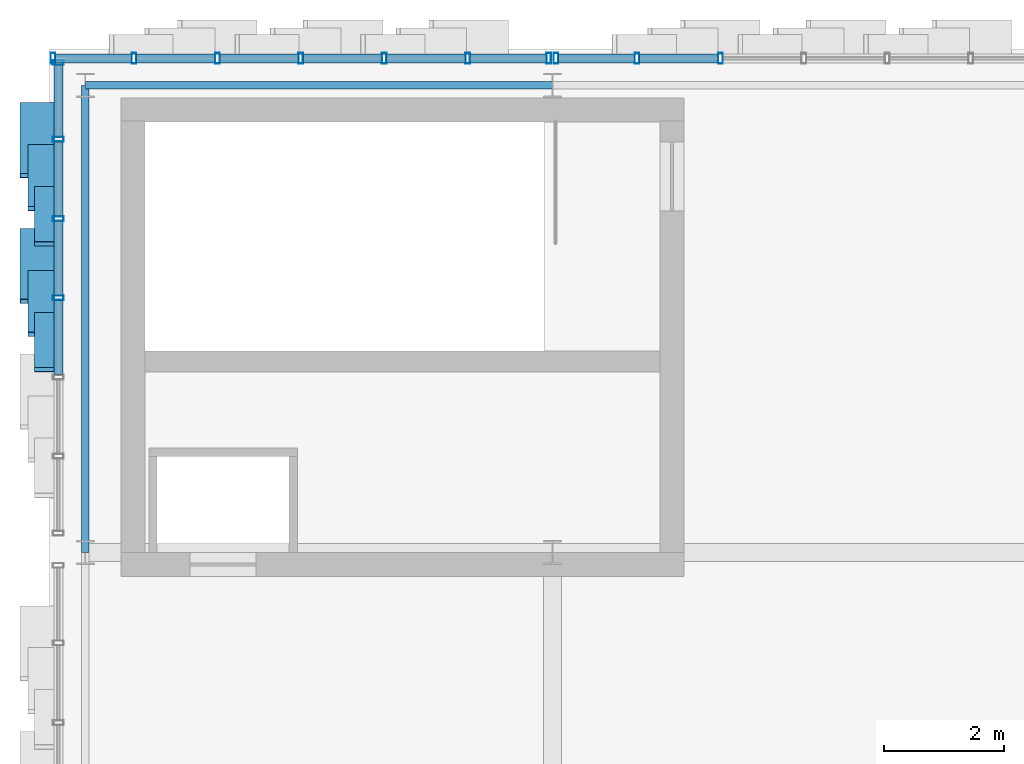
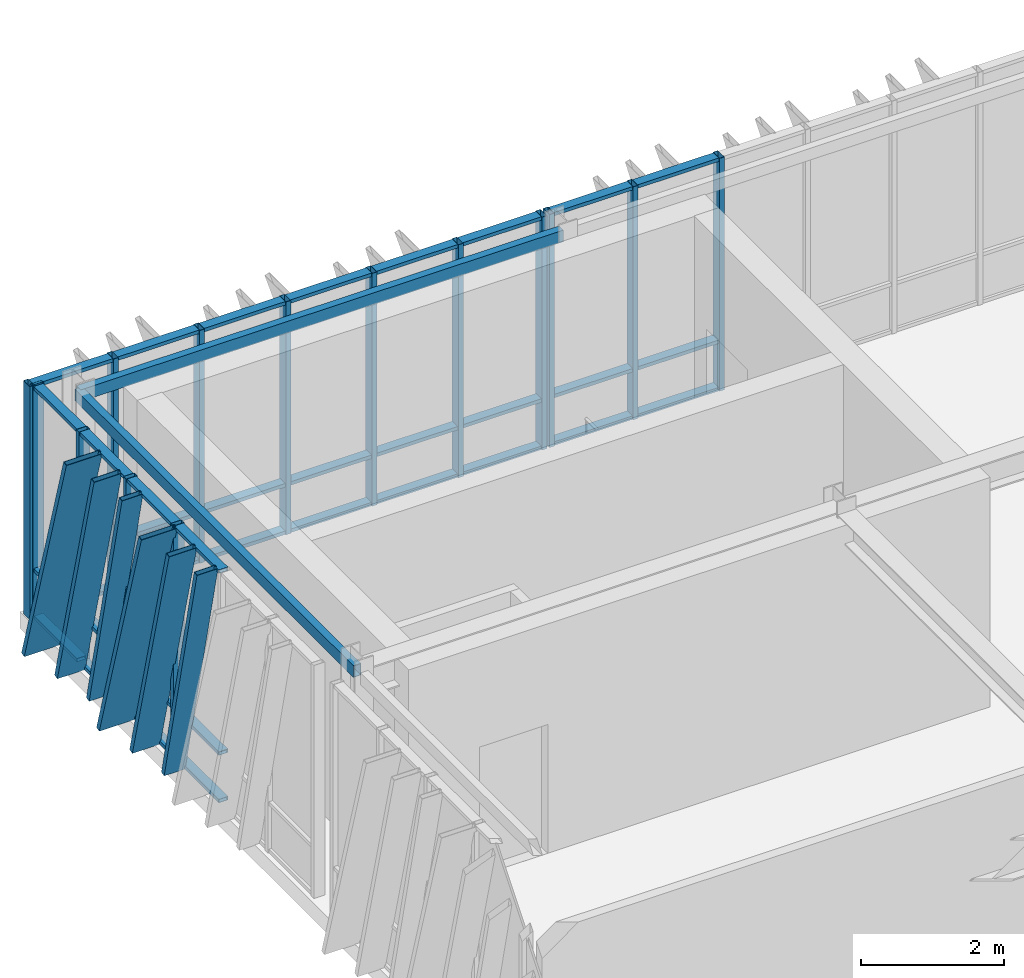
# One storey, part 42 of 123: 56 members, 2 beams, 3 elements without a shape of their own.
"""IFC4 building model written with IfcOpenShell, lengths in metres."""

from ifc_helpers import new_model, si_unit, direction, frame, origin, origin_2d, place, context, subcontext, project, spatial, hollow_rectangle, extrude, material, layer, layer_set, material_profile, profile_set, type_object, element, aggregate, save


model = new_model("IFC4")

# Units and contexts
model_context = context("Model", 3, precision=1e-05, world=origin(), true_north=direction((0.0, 1.0)))
body_context = subcontext(model_context, "Body", "Model", "MODEL_VIEW")
ifc_project = project(units=[si_unit("LENGTHUNIT", "METRE"), si_unit("AREAUNIT", "SQUARE_METRE"), si_unit("VOLUMEUNIT", "CUBIC_METRE"), si_unit("PLANEANGLEUNIT", "RADIAN"), si_unit("MASSUNIT", "GRAM", prefix="KILO")], contexts=[model_context])

# Site, building, storey
site_placement = place(None, origin())
site = spatial("IfcSite", under=ifc_project, at=site_placement, CompositionType="ELEMENT")
building_placement = place(site_placement, origin())
building = spatial("IfcBuilding", under=site, at=building_placement, Name="Zayran Congress Hotel", CompositionType="ELEMENT")
storey_placement = place(building_placement, frame((0.0, 0.0, 15.0)))
storey = spatial("IfcBuildingStorey", under=building, at=storey_placement, Name="L03", CompositionType="ELEMENT", Elevation=15.0)

# Beams
ifc_material_1 = material(Name="Steel S355", Category="steel")
ifc_material_profile_1 = material_profile(ifc_material_1, hollow_rectangle(XDim=0.1201171875, YDim=0.199951171875, WallThickness=0.008056640625, at=origin_2d()), Name="RHS 200x120x8")
ifc_profile_set_1 = profile_set([ifc_material_profile_1], Name="Steel S355")
beam_type = type_object("IfcBeamType", Name="TP-SP-02", PredefinedType="SPANDREL", material=ifc_profile_set_1)
beam_1_placement = place(storey_placement, frame((9.0, 117.39990234375, 3.8798828125), z_axis=(1.0, 0.0, 0.0), x_axis=(0.0, 1.0, 0.0)))
element("IfcBeam", 1, at=beam_1_placement, inside=storey, type_object=beam_type, Name="BM-V1-L03-0839", PredefinedType="SPANDREL", context=body_context, shape_type="SweptSolid", body=[
    extrude(hollow_rectangle(XDim=0.1201171875, YDim=0.199951171875, WallThickness=0.008056640625, at=origin_2d()), origin(), (0.0, 0.0, 1.0), 7.800048828125),
])
beam_2_placement = place(storey_placement, frame((9.0, 109.60009765625, 3.8798828125), z_axis=(0.0, 1.0, 0.0), x_axis=(-1.0, 0.0, 0.0)))
element("IfcBeam", 2, at=beam_2_placement, inside=storey, type_object=beam_type, Name="BM-V1-L03-0854", PredefinedType="SPANDREL", context=body_context, shape_type="SweptSolid", body=[
    extrude(hollow_rectangle(XDim=0.1201171875, YDim=0.199951171875, WallThickness=0.008056640625, at=origin_2d()), origin(), (0.0, 0.0, 1.0), 7.7998046875),
])

# Curtain wall, members
ifc_material_2 = material(Name="Anodised aluminium and low-E insulated glass", Category="aluminium")
ifc_layer_1 = layer(ifc_material_2, 0.179931640625)
ifc_layer_set_1 = layer_set([ifc_layer_1], Name="Anodised aluminium and low-E insulated glass")
curtain_wall_type_1 = type_object("IfcCurtainWallType", Name="CW-V1N-L03-CW-21-8360-3980", PredefinedType="USERDEFINED", material=ifc_layer_set_1)
curtain_wall_1_placement = place(storey_placement, origin())
curtain_wall_1 = element("IfcCurtainWall", 3, at=curtain_wall_1_placement, inside=storey, type_object=curtain_wall_type_1, Name="CW-V1N-L03-0", ObjectType="CURTAIN WALL", PredefinedType="USERDEFINED")
ifc_material_3 = material(Name="Anodised aluminium framing", Category="aluminium")
ifc_material_profile_2 = material_profile(ifc_material_3, hollow_rectangle(XDim=0.080078125, YDim=0.179931640625, WallThickness=0.0048828125, at=origin_2d()), Name="RHS 180x80x5")
ifc_profile_set_2 = profile_set([ifc_material_profile_2], Name="Anodised aluminium framing")
member_type_1 = type_object("IfcMemberType", Name="TP-CWM-01", PredefinedType="MULLION", material=ifc_profile_set_2)
member_1_placement = place(storey_placement, frame((16.739990234375, 117.85009765625, 0.0), z_axis=(0.0, 0.0, 1.0), x_axis=(1.0, 0.0, 0.0)))
member_1 = element("IfcMember", 4, at=member_1_placement, type_object=member_type_1, Name="CW-V1N-L03-0-M00", PredefinedType="MULLION", context=body_context, shape_type="SweptSolid", body=[
    extrude(hollow_rectangle(XDim=0.080078125, YDim=0.179931640625, WallThickness=0.0048828125, at=origin_2d()), origin(), (0.0, 0.0, 1.0), 3.97998046875),
])
member_2_placement = place(storey_placement, frame((15.38671875, 117.85009765625, 0.0), z_axis=(0.0, 0.0, 1.0), x_axis=(1.0, 0.0, 0.0)))
member_2 = element("IfcMember", 5, at=member_2_placement, type_object=member_type_1, Name="CW-V1N-L03-0-M01", PredefinedType="MULLION", context=body_context, shape_type="SweptSolid", body=[
    extrude(hollow_rectangle(XDim=0.080078125, YDim=0.179931640625, WallThickness=0.0048828125, at=origin_2d()), origin(), (0.0, 0.0, 1.0), 3.97998046875),
])
member_3_placement = place(storey_placement, frame((13.993408203125, 117.85009765625, 0.0), z_axis=(0.0, 0.0, 1.0), x_axis=(1.0, 0.0, 0.0)))
member_3 = element("IfcMember", 6, at=member_3_placement, type_object=member_type_1, Name="CW-V1N-L03-0-M02", PredefinedType="MULLION", context=body_context, shape_type="SweptSolid", body=[
    extrude(hollow_rectangle(XDim=0.080078125, YDim=0.179931640625, WallThickness=0.0048828125, at=origin_2d()), origin(), (0.0, 0.0, 1.0), 3.97998046875),
])
member_4_placement = place(storey_placement, frame((12.60009765625, 117.85009765625, 0.0), z_axis=(0.0, 0.0, 1.0), x_axis=(1.0, 0.0, 0.0)))
member_4 = element("IfcMember", 7, at=member_4_placement, type_object=member_type_1, Name="CW-V1N-L03-0-M03", PredefinedType="MULLION", context=body_context, shape_type="SweptSolid", body=[
    extrude(hollow_rectangle(XDim=0.080078125, YDim=0.179931640625, WallThickness=0.0048828125, at=origin_2d()), origin(), (0.0, 0.0, 1.0), 3.97998046875),
])
member_5_placement = place(storey_placement, frame((11.206787109375, 117.85009765625, 0.0), z_axis=(0.0, 0.0, 1.0), x_axis=(1.0, 0.0, 0.0)))
member_5 = element("IfcMember", 8, at=member_5_placement, type_object=member_type_1, Name="CW-V1N-L03-0-M04", PredefinedType="MULLION", context=body_context, shape_type="SweptSolid", body=[
    extrude(hollow_rectangle(XDim=0.080078125, YDim=0.179931640625, WallThickness=0.0048828125, at=origin_2d()), origin(), (0.0, 0.0, 1.0), 3.97998046875),
])
member_6_placement = place(storey_placement, frame((9.813232421875, 117.85009765625, 0.0), z_axis=(0.0, 0.0, 1.0), x_axis=(1.0, 0.0, 0.0)))
member_6 = element("IfcMember", 9, at=member_6_placement, type_object=member_type_1, Name="CW-V1N-L03-0-M05", PredefinedType="MULLION", context=body_context, shape_type="SweptSolid", body=[
    extrude(hollow_rectangle(XDim=0.080078125, YDim=0.179931640625, WallThickness=0.0048828125, at=origin_2d()), origin(), (0.0, 0.0, 1.0), 3.97998046875),
])
member_7_placement = place(storey_placement, frame((8.4599609375, 117.85009765625, 0.0), z_axis=(0.0, 0.0, 1.0), x_axis=(1.0, 0.0, 0.0)))
member_7 = element("IfcMember", 10, at=member_7_placement, type_object=member_type_1, Name="CW-V1N-L03-0-M06", PredefinedType="MULLION", context=body_context, shape_type="SweptSolid", body=[
    extrude(hollow_rectangle(XDim=0.080078125, YDim=0.179931640625, WallThickness=0.0048828125, at=origin_2d()), origin(), (0.0, 0.0, 1.0), 3.97998046875),
])

ifc_layer_2 = layer(ifc_material_2, 0.179931640625)
ifc_layer_set_2 = layer_set([ifc_layer_2], Name="Anodised aluminium and low-E insulated glass")
curtain_wall_type_2 = type_object("IfcCurtainWallType", Name="CW-V1N-L03-CW-22-8360-3980", PredefinedType="USERDEFINED", material=ifc_layer_set_2)
curtain_wall_2_placement = place(storey_placement, origin())
curtain_wall_2 = element("IfcCurtainWall", 11, at=curtain_wall_2_placement, inside=storey, type_object=curtain_wall_type_2, Name="CW-V1N-L03-1", ObjectType="CURTAIN WALL", PredefinedType="USERDEFINED")
member_8_placement = place(storey_placement, frame((19.606689453125, 117.85009765625, 0.0), z_axis=(0.0, 0.0, 1.0), x_axis=(1.0, 0.0, 0.0)))
member_8 = element("IfcMember", 12, at=member_8_placement, type_object=member_type_1, Name="CW-V1N-L03-1-M04", PredefinedType="MULLION", context=body_context, shape_type="SweptSolid", body=[
    extrude(hollow_rectangle(XDim=0.080078125, YDim=0.179931640625, WallThickness=0.0048828125, at=origin_2d()), origin(), (0.0, 0.0, 1.0), 3.97998046875),
])
member_9_placement = place(storey_placement, frame((18.21337890625, 117.85009765625, 0.0), z_axis=(0.0, 0.0, 1.0), x_axis=(1.0, 0.0, 0.0)))
member_9 = element("IfcMember", 13, at=member_9_placement, type_object=member_type_1, Name="CW-V1N-L03-1-M05", PredefinedType="MULLION", context=body_context, shape_type="SweptSolid", body=[
    extrude(hollow_rectangle(XDim=0.080078125, YDim=0.179931640625, WallThickness=0.0048828125, at=origin_2d()), origin(), (0.0, 0.0, 1.0), 3.97998046875),
])
member_10_placement = place(storey_placement, frame((16.860107421875, 117.85009765625, 0.0), z_axis=(0.0, 0.0, 1.0), x_axis=(1.0, 0.0, 0.0)))
member_10 = element("IfcMember", 14, at=member_10_placement, type_object=member_type_1, Name="CW-V1N-L03-1-M06", PredefinedType="MULLION", context=body_context, shape_type="SweptSolid", body=[
    extrude(hollow_rectangle(XDim=0.080078125, YDim=0.179931640625, WallThickness=0.0048828125, at=origin_2d()), origin(), (0.0, 0.0, 1.0), 3.97998046875),
])

ifc_layer_3 = layer(ifc_material_2, 0.179931640625)
ifc_layer_set_3 = layer_set([ifc_layer_3], Name="Anodised aluminium and low-E insulated glass")
curtain_wall_type_3 = type_object("IfcCurtainWallType", Name="CW-V1W-L03-CW-32-7940-3980", PredefinedType="USERDEFINED", material=ifc_layer_set_3)
curtain_wall_3_placement = place(storey_placement, origin())
curtain_wall_3 = element("IfcCurtainWall", 15, at=curtain_wall_3_placement, inside=storey, type_object=curtain_wall_type_3, Name="CW-V1W-L03-5", ObjectType="CURTAIN WALL", PredefinedType="USERDEFINED")
member_11_placement = place(storey_placement, frame((8.550048828125, 117.780029296875, 0.0), z_axis=(0.0, 0.0, 1.0), x_axis=(0.0, 1.0, 0.0)))
member_11 = element("IfcMember", 16, at=member_11_placement, type_object=member_type_1, Name="CW-V1W-L03-5-M00", PredefinedType="MULLION", context=body_context, shape_type="SweptSolid", body=[
    extrude(hollow_rectangle(XDim=0.080078125, YDim=0.179931640625, WallThickness=0.0048828125, at=origin_2d()), origin(), (0.0, 0.0, 1.0), 3.97998046875),
])
member_12_placement = place(storey_placement, frame((8.550048828125, 116.49658203125, 0.0), z_axis=(0.0, 0.0, 1.0), x_axis=(0.0, 1.0, 0.0)))
member_12 = element("IfcMember", 17, at=member_12_placement, type_object=member_type_1, Name="CW-V1W-L03-5-M01", PredefinedType="MULLION", context=body_context, shape_type="SweptSolid", body=[
    extrude(hollow_rectangle(XDim=0.080078125, YDim=0.179931640625, WallThickness=0.0048828125, at=origin_2d()), origin(), (0.0, 0.0, 1.0), 3.97998046875),
])
member_13_placement = place(storey_placement, frame((8.550048828125, 115.17333984375, 0.0), z_axis=(0.0, 0.0, 1.0), x_axis=(0.0, 1.0, 0.0)))
member_13 = element("IfcMember", 18, at=member_13_placement, type_object=member_type_1, Name="CW-V1W-L03-5-M02", PredefinedType="MULLION", context=body_context, shape_type="SweptSolid", body=[
    extrude(hollow_rectangle(XDim=0.080078125, YDim=0.179931640625, WallThickness=0.0048828125, at=origin_2d()), origin(), (0.0, 0.0, 1.0), 3.97998046875),
])
member_14_placement = place(storey_placement, frame((8.550048828125, 113.85009765625, 0.0), z_axis=(0.0, 0.0, 1.0), x_axis=(0.0, 1.0, 0.0)))
member_14 = element("IfcMember", 19, at=member_14_placement, type_object=member_type_1, Name="CW-V1W-L03-5-M03", PredefinedType="MULLION", context=body_context, shape_type="SweptSolid", body=[
    extrude(hollow_rectangle(XDim=0.080078125, YDim=0.179931640625, WallThickness=0.0048828125, at=origin_2d()), origin(), (0.0, 0.0, 1.0), 3.97998046875),
])

# Member
ifc_material_profile_3 = material_profile(ifc_material_3, hollow_rectangle(XDim=0.06005859375, YDim=0.14990234375, WallThickness=0.00390625, at=origin_2d()), Name="RHS 150x60x4")
ifc_profile_set_3 = profile_set([ifc_material_profile_3], Name="Anodised aluminium framing")
member_type_2 = type_object("IfcMemberType", Name="TP-CWT-01", PredefinedType="USERDEFINED", material=ifc_profile_set_3)
member_15_placement = place(storey_placement, frame((16.699951171875, 117.85009765625, 0.030029296875), z_axis=(-1.0, 0.0, 0.0), x_axis=(0.0, 0.0, 1.0)))
member_15 = element("IfcMember", 20, at=member_15_placement, type_object=member_type_2, Name="CW-V1N-L03-0-T00-0", ObjectType="TRANSOM", PredefinedType="USERDEFINED", context=body_context, shape_type="SweptSolid", body=[
    extrude(hollow_rectangle(XDim=0.06005859375, YDim=0.14990234375, WallThickness=0.00390625, at=origin_2d()), origin(), (0.0, 0.0, 1.0), 1.273193359375),
])

member_16_placement = place(storey_placement, frame((16.699951171875, 117.85009765625, 0.840087890625), z_axis=(-1.0, 0.0, 0.0), x_axis=(0.0, 0.0, 1.0)))
member_16 = element("IfcMember", 21, at=member_16_placement, type_object=member_type_2, Name="CW-V1N-L03-0-T00-1", ObjectType="TRANSOM", PredefinedType="USERDEFINED", context=body_context, shape_type="SweptSolid", body=[
    extrude(hollow_rectangle(XDim=0.06005859375, YDim=0.14990234375, WallThickness=0.00390625, at=origin_2d()), origin(), (0.0, 0.0, 1.0), 1.273193359375),
])

member_17_placement = place(storey_placement, frame((16.699951171875, 117.85009765625, 3.949951171875), z_axis=(-1.0, 0.0, 0.0), x_axis=(0.0, 0.0, 1.0)))
member_17 = element("IfcMember", 22, at=member_17_placement, type_object=member_type_2, Name="CW-V1N-L03-0-T00-2", ObjectType="TRANSOM", PredefinedType="USERDEFINED", context=body_context, shape_type="SweptSolid", body=[
    extrude(hollow_rectangle(XDim=0.06005859375, YDim=0.14990234375, WallThickness=0.00390625, at=origin_2d()), origin(), (0.0, 0.0, 1.0), 1.273193359375),
])

member_18_placement = place(storey_placement, frame((15.3466796875, 117.85009765625, 0.030029296875), z_axis=(-1.0, 0.0, 0.0), x_axis=(0.0, 0.0, 1.0)))
member_18 = element("IfcMember", 23, at=member_18_placement, type_object=member_type_2, Name="CW-V1N-L03-0-T01-0", ObjectType="TRANSOM", PredefinedType="USERDEFINED", context=body_context, shape_type="SweptSolid", body=[
    extrude(hollow_rectangle(XDim=0.06005859375, YDim=0.14990234375, WallThickness=0.00390625, at=origin_2d()), origin(), (0.0, 0.0, 1.0), 1.3134765625),
])

member_19_placement = place(storey_placement, frame((15.3466796875, 117.85009765625, 0.840087890625), z_axis=(-1.0, 0.0, 0.0), x_axis=(0.0, 0.0, 1.0)))
member_19 = element("IfcMember", 24, at=member_19_placement, type_object=member_type_2, Name="CW-V1N-L03-0-T01-1", ObjectType="TRANSOM", PredefinedType="USERDEFINED", context=body_context, shape_type="SweptSolid", body=[
    extrude(hollow_rectangle(XDim=0.06005859375, YDim=0.14990234375, WallThickness=0.00390625, at=origin_2d()), origin(), (0.0, 0.0, 1.0), 1.3134765625),
])

member_20_placement = place(storey_placement, frame((15.3466796875, 117.85009765625, 3.949951171875), z_axis=(-1.0, 0.0, 0.0), x_axis=(0.0, 0.0, 1.0)))
member_20 = element("IfcMember", 25, at=member_20_placement, type_object=member_type_2, Name="CW-V1N-L03-0-T01-2", ObjectType="TRANSOM", PredefinedType="USERDEFINED", context=body_context, shape_type="SweptSolid", body=[
    extrude(hollow_rectangle(XDim=0.06005859375, YDim=0.14990234375, WallThickness=0.00390625, at=origin_2d()), origin(), (0.0, 0.0, 1.0), 1.3134765625),
])

member_21_placement = place(storey_placement, frame((13.953369140625, 117.85009765625, 0.030029296875), z_axis=(-1.0, 0.0, 0.0), x_axis=(0.0, 0.0, 1.0)))
member_21 = element("IfcMember", 26, at=member_21_placement, type_object=member_type_2, Name="CW-V1N-L03-0-T02-0", ObjectType="TRANSOM", PredefinedType="USERDEFINED", context=body_context, shape_type="SweptSolid", body=[
    extrude(hollow_rectangle(XDim=0.06005859375, YDim=0.14990234375, WallThickness=0.00390625, at=origin_2d()), origin(), (0.0, 0.0, 1.0), 1.3134765625),
])

member_22_placement = place(storey_placement, frame((13.953369140625, 117.85009765625, 0.840087890625), z_axis=(-1.0, 0.0, 0.0), x_axis=(0.0, 0.0, 1.0)))
member_22 = element("IfcMember", 27, at=member_22_placement, type_object=member_type_2, Name="CW-V1N-L03-0-T02-1", ObjectType="TRANSOM", PredefinedType="USERDEFINED", context=body_context, shape_type="SweptSolid", body=[
    extrude(hollow_rectangle(XDim=0.06005859375, YDim=0.14990234375, WallThickness=0.00390625, at=origin_2d()), origin(), (0.0, 0.0, 1.0), 1.3134765625),
])

member_23_placement = place(storey_placement, frame((13.953369140625, 117.85009765625, 3.949951171875), z_axis=(-1.0, 0.0, 0.0), x_axis=(0.0, 0.0, 1.0)))
member_23 = element("IfcMember", 28, at=member_23_placement, type_object=member_type_2, Name="CW-V1N-L03-0-T02-2", ObjectType="TRANSOM", PredefinedType="USERDEFINED", context=body_context, shape_type="SweptSolid", body=[
    extrude(hollow_rectangle(XDim=0.06005859375, YDim=0.14990234375, WallThickness=0.00390625, at=origin_2d()), origin(), (0.0, 0.0, 1.0), 1.3134765625),
])

member_24_placement = place(storey_placement, frame((12.56005859375, 117.85009765625, 0.030029296875), z_axis=(-1.0, 0.0, 0.0), x_axis=(0.0, 0.0, 1.0)))
member_24 = element("IfcMember", 29, at=member_24_placement, type_object=member_type_2, Name="CW-V1N-L03-0-T03-0", ObjectType="TRANSOM", PredefinedType="USERDEFINED", context=body_context, shape_type="SweptSolid", body=[
    extrude(hollow_rectangle(XDim=0.06005859375, YDim=0.14990234375, WallThickness=0.00390625, at=origin_2d()), origin(), (0.0, 0.0, 1.0), 1.3134765625),
])

member_25_placement = place(storey_placement, frame((12.56005859375, 117.85009765625, 0.840087890625), z_axis=(-1.0, 0.0, 0.0), x_axis=(0.0, 0.0, 1.0)))
member_25 = element("IfcMember", 30, at=member_25_placement, type_object=member_type_2, Name="CW-V1N-L03-0-T03-1", ObjectType="TRANSOM", PredefinedType="USERDEFINED", context=body_context, shape_type="SweptSolid", body=[
    extrude(hollow_rectangle(XDim=0.06005859375, YDim=0.14990234375, WallThickness=0.00390625, at=origin_2d()), origin(), (0.0, 0.0, 1.0), 1.3134765625),
])

member_26_placement = place(storey_placement, frame((12.56005859375, 117.85009765625, 3.949951171875), z_axis=(-1.0, 0.0, 0.0), x_axis=(0.0, 0.0, 1.0)))
member_26 = element("IfcMember", 31, at=member_26_placement, type_object=member_type_2, Name="CW-V1N-L03-0-T03-2", ObjectType="TRANSOM", PredefinedType="USERDEFINED", context=body_context, shape_type="SweptSolid", body=[
    extrude(hollow_rectangle(XDim=0.06005859375, YDim=0.14990234375, WallThickness=0.00390625, at=origin_2d()), origin(), (0.0, 0.0, 1.0), 1.3134765625),
])

member_27_placement = place(storey_placement, frame((11.166748046875, 117.85009765625, 0.030029296875), z_axis=(-1.0, 0.0, 0.0), x_axis=(0.0, 0.0, 1.0)))
member_27 = element("IfcMember", 32, at=member_27_placement, type_object=member_type_2, Name="CW-V1N-L03-0-T04-0", ObjectType="TRANSOM", PredefinedType="USERDEFINED", context=body_context, shape_type="SweptSolid", body=[
    extrude(hollow_rectangle(XDim=0.06005859375, YDim=0.14990234375, WallThickness=0.00390625, at=origin_2d()), origin(), (0.0, 0.0, 1.0), 1.3134765625),
])

member_28_placement = place(storey_placement, frame((11.166748046875, 117.85009765625, 0.840087890625), z_axis=(-1.0, 0.0, 0.0), x_axis=(0.0, 0.0, 1.0)))
member_28 = element("IfcMember", 33, at=member_28_placement, type_object=member_type_2, Name="CW-V1N-L03-0-T04-1", ObjectType="TRANSOM", PredefinedType="USERDEFINED", context=body_context, shape_type="SweptSolid", body=[
    extrude(hollow_rectangle(XDim=0.06005859375, YDim=0.14990234375, WallThickness=0.00390625, at=origin_2d()), origin(), (0.0, 0.0, 1.0), 1.3134765625),
])

member_29_placement = place(storey_placement, frame((11.166748046875, 117.85009765625, 3.949951171875), z_axis=(-1.0, 0.0, 0.0), x_axis=(0.0, 0.0, 1.0)))
member_29 = element("IfcMember", 34, at=member_29_placement, type_object=member_type_2, Name="CW-V1N-L03-0-T04-2", ObjectType="TRANSOM", PredefinedType="USERDEFINED", context=body_context, shape_type="SweptSolid", body=[
    extrude(hollow_rectangle(XDim=0.06005859375, YDim=0.14990234375, WallThickness=0.00390625, at=origin_2d()), origin(), (0.0, 0.0, 1.0), 1.3134765625),
])

member_30_placement = place(storey_placement, frame((9.773193359375, 117.85009765625, 0.030029296875), z_axis=(-1.0, 0.0, 0.0), x_axis=(0.0, 0.0, 1.0)))
member_30 = element("IfcMember", 35, at=member_30_placement, type_object=member_type_2, Name="CW-V1N-L03-0-T05-0", ObjectType="TRANSOM", PredefinedType="USERDEFINED", context=body_context, shape_type="SweptSolid", body=[
    extrude(hollow_rectangle(XDim=0.06005859375, YDim=0.14990234375, WallThickness=0.00390625, at=origin_2d()), origin(), (0.0, 0.0, 1.0), 1.273193359375),
])

member_31_placement = place(storey_placement, frame((9.773193359375, 117.85009765625, 0.840087890625), z_axis=(-1.0, 0.0, 0.0), x_axis=(0.0, 0.0, 1.0)))
member_31 = element("IfcMember", 36, at=member_31_placement, type_object=member_type_2, Name="CW-V1N-L03-0-T05-1", ObjectType="TRANSOM", PredefinedType="USERDEFINED", context=body_context, shape_type="SweptSolid", body=[
    extrude(hollow_rectangle(XDim=0.06005859375, YDim=0.14990234375, WallThickness=0.00390625, at=origin_2d()), origin(), (0.0, 0.0, 1.0), 1.273193359375),
])

member_32_placement = place(storey_placement, frame((9.773193359375, 117.85009765625, 3.949951171875), z_axis=(-1.0, 0.0, 0.0), x_axis=(0.0, 0.0, 1.0)))
member_32 = element("IfcMember", 37, at=member_32_placement, type_object=member_type_2, Name="CW-V1N-L03-0-T05-2", ObjectType="TRANSOM", PredefinedType="USERDEFINED", context=body_context, shape_type="SweptSolid", body=[
    extrude(hollow_rectangle(XDim=0.06005859375, YDim=0.14990234375, WallThickness=0.00390625, at=origin_2d()), origin(), (0.0, 0.0, 1.0), 1.273193359375),
])

aggregate(curtain_wall_1, [member_1, member_2, member_3, member_4, member_5, member_6, member_7, member_15, member_16, member_17, member_18, member_19, member_20, member_21, member_22, member_23, member_24, member_25, member_26, member_27, member_28, member_29, member_30, member_31, member_32])

member_33_placement = place(storey_placement, frame((19.566650390625, 117.85009765625, 0.030029296875), z_axis=(-1.0, 0.0, 0.0), x_axis=(0.0, 0.0, 1.0)))
member_33 = element("IfcMember", 38, at=member_33_placement, type_object=member_type_2, Name="CW-V1N-L03-1-T04-0", ObjectType="TRANSOM", PredefinedType="USERDEFINED", context=body_context, shape_type="SweptSolid", body=[
    extrude(hollow_rectangle(XDim=0.06005859375, YDim=0.14990234375, WallThickness=0.00390625, at=origin_2d()), origin(), (0.0, 0.0, 1.0), 1.313232421875),
])

member_34_placement = place(storey_placement, frame((19.566650390625, 117.85009765625, 0.840087890625), z_axis=(-1.0, 0.0, 0.0), x_axis=(0.0, 0.0, 1.0)))
member_34 = element("IfcMember", 39, at=member_34_placement, type_object=member_type_2, Name="CW-V1N-L03-1-T04-1", ObjectType="TRANSOM", PredefinedType="USERDEFINED", context=body_context, shape_type="SweptSolid", body=[
    extrude(hollow_rectangle(XDim=0.06005859375, YDim=0.14990234375, WallThickness=0.00390625, at=origin_2d()), origin(), (0.0, 0.0, 1.0), 1.313232421875),
])

member_35_placement = place(storey_placement, frame((19.566650390625, 117.85009765625, 3.949951171875), z_axis=(-1.0, 0.0, 0.0), x_axis=(0.0, 0.0, 1.0)))
member_35 = element("IfcMember", 40, at=member_35_placement, type_object=member_type_2, Name="CW-V1N-L03-1-T04-2", ObjectType="TRANSOM", PredefinedType="USERDEFINED", context=body_context, shape_type="SweptSolid", body=[
    extrude(hollow_rectangle(XDim=0.06005859375, YDim=0.14990234375, WallThickness=0.00390625, at=origin_2d()), origin(), (0.0, 0.0, 1.0), 1.313232421875),
])

member_36_placement = place(storey_placement, frame((18.17333984375, 117.85009765625, 0.030029296875), z_axis=(-1.0, 0.0, 0.0), x_axis=(0.0, 0.0, 1.0)))
member_36 = element("IfcMember", 41, at=member_36_placement, type_object=member_type_2, Name="CW-V1N-L03-1-T05-0", ObjectType="TRANSOM", PredefinedType="USERDEFINED", context=body_context, shape_type="SweptSolid", body=[
    extrude(hollow_rectangle(XDim=0.06005859375, YDim=0.14990234375, WallThickness=0.00390625, at=origin_2d()), origin(), (0.0, 0.0, 1.0), 1.2734375),
])

member_37_placement = place(storey_placement, frame((18.17333984375, 117.85009765625, 0.840087890625), z_axis=(-1.0, 0.0, 0.0), x_axis=(0.0, 0.0, 1.0)))
member_37 = element("IfcMember", 42, at=member_37_placement, type_object=member_type_2, Name="CW-V1N-L03-1-T05-1", ObjectType="TRANSOM", PredefinedType="USERDEFINED", context=body_context, shape_type="SweptSolid", body=[
    extrude(hollow_rectangle(XDim=0.06005859375, YDim=0.14990234375, WallThickness=0.00390625, at=origin_2d()), origin(), (0.0, 0.0, 1.0), 1.2734375),
])

member_38_placement = place(storey_placement, frame((18.17333984375, 117.85009765625, 3.949951171875), z_axis=(-1.0, 0.0, 0.0), x_axis=(0.0, 0.0, 1.0)))
member_38 = element("IfcMember", 43, at=member_38_placement, type_object=member_type_2, Name="CW-V1N-L03-1-T05-2", ObjectType="TRANSOM", PredefinedType="USERDEFINED", context=body_context, shape_type="SweptSolid", body=[
    extrude(hollow_rectangle(XDim=0.06005859375, YDim=0.14990234375, WallThickness=0.00390625, at=origin_2d()), origin(), (0.0, 0.0, 1.0), 1.2734375),
])

aggregate(curtain_wall_2, [member_8, member_9, member_10, member_33, member_34, member_35, member_36, member_37, member_38])

member_39_placement = place(storey_placement, frame((8.550048828125, 117.739990234375, 0.030029296875), z_axis=(0.0, -1.0, 0.0), x_axis=(0.0, 0.0, 1.0)))
member_39 = element("IfcMember", 44, at=member_39_placement, type_object=member_type_2, Name="CW-V1W-L03-5-T00-0", ObjectType="TRANSOM", PredefinedType="USERDEFINED", context=body_context, shape_type="SweptSolid", body=[
    extrude(hollow_rectangle(XDim=0.06005859375, YDim=0.14990234375, WallThickness=0.00390625, at=origin_2d()), origin(), (0.0, 0.0, 1.0), 1.203369140625),
])

member_40_placement = place(storey_placement, frame((8.550048828125, 117.739990234375, 0.840087890625), z_axis=(0.0, -1.0, 0.0), x_axis=(0.0, 0.0, 1.0)))
member_40 = element("IfcMember", 45, at=member_40_placement, type_object=member_type_2, Name="CW-V1W-L03-5-T00-1", ObjectType="TRANSOM", PredefinedType="USERDEFINED", context=body_context, shape_type="SweptSolid", body=[
    extrude(hollow_rectangle(XDim=0.06005859375, YDim=0.14990234375, WallThickness=0.00390625, at=origin_2d()), origin(), (0.0, 0.0, 1.0), 1.203369140625),
])

member_41_placement = place(storey_placement, frame((8.550048828125, 117.739990234375, 3.949951171875), z_axis=(0.0, -1.0, 0.0), x_axis=(0.0, 0.0, 1.0)))
member_41 = element("IfcMember", 46, at=member_41_placement, type_object=member_type_2, Name="CW-V1W-L03-5-T00-2", ObjectType="TRANSOM", PredefinedType="USERDEFINED", context=body_context, shape_type="SweptSolid", body=[
    extrude(hollow_rectangle(XDim=0.06005859375, YDim=0.14990234375, WallThickness=0.00390625, at=origin_2d()), origin(), (0.0, 0.0, 1.0), 1.203369140625),
])

member_42_placement = place(storey_placement, frame((8.550048828125, 116.456787109375, 0.030029296875), z_axis=(0.0, -1.0, 0.0), x_axis=(0.0, 0.0, 1.0)))
member_42 = element("IfcMember", 47, at=member_42_placement, type_object=member_type_2, Name="CW-V1W-L03-5-T01-0", ObjectType="TRANSOM", PredefinedType="USERDEFINED", context=body_context, shape_type="SweptSolid", body=[
    extrude(hollow_rectangle(XDim=0.06005859375, YDim=0.14990234375, WallThickness=0.00390625, at=origin_2d()), origin(), (0.0, 0.0, 1.0), 1.243408203125),
])

member_43_placement = place(storey_placement, frame((8.550048828125, 116.456787109375, 0.840087890625), z_axis=(0.0, -1.0, 0.0), x_axis=(0.0, 0.0, 1.0)))
member_43 = element("IfcMember", 48, at=member_43_placement, type_object=member_type_2, Name="CW-V1W-L03-5-T01-1", ObjectType="TRANSOM", PredefinedType="USERDEFINED", context=body_context, shape_type="SweptSolid", body=[
    extrude(hollow_rectangle(XDim=0.06005859375, YDim=0.14990234375, WallThickness=0.00390625, at=origin_2d()), origin(), (0.0, 0.0, 1.0), 1.243408203125),
])

member_44_placement = place(storey_placement, frame((8.550048828125, 116.456787109375, 3.949951171875), z_axis=(0.0, -1.0, 0.0), x_axis=(0.0, 0.0, 1.0)))
member_44 = element("IfcMember", 49, at=member_44_placement, type_object=member_type_2, Name="CW-V1W-L03-5-T01-2", ObjectType="TRANSOM", PredefinedType="USERDEFINED", context=body_context, shape_type="SweptSolid", body=[
    extrude(hollow_rectangle(XDim=0.06005859375, YDim=0.14990234375, WallThickness=0.00390625, at=origin_2d()), origin(), (0.0, 0.0, 1.0), 1.243408203125),
])

member_45_placement = place(storey_placement, frame((8.550048828125, 115.13330078125, 0.030029296875), z_axis=(0.0, -1.0, 0.0), x_axis=(0.0, 0.0, 1.0)))
member_45 = element("IfcMember", 50, at=member_45_placement, type_object=member_type_2, Name="CW-V1W-L03-5-T02-0", ObjectType="TRANSOM", PredefinedType="USERDEFINED", context=body_context, shape_type="SweptSolid", body=[
    extrude(hollow_rectangle(XDim=0.06005859375, YDim=0.14990234375, WallThickness=0.00390625, at=origin_2d()), origin(), (0.0, 0.0, 1.0), 1.243408203125),
])

member_46_placement = place(storey_placement, frame((8.550048828125, 115.13330078125, 0.840087890625), z_axis=(0.0, -1.0, 0.0), x_axis=(0.0, 0.0, 1.0)))
member_46 = element("IfcMember", 51, at=member_46_placement, type_object=member_type_2, Name="CW-V1W-L03-5-T02-1", ObjectType="TRANSOM", PredefinedType="USERDEFINED", context=body_context, shape_type="SweptSolid", body=[
    extrude(hollow_rectangle(XDim=0.06005859375, YDim=0.14990234375, WallThickness=0.00390625, at=origin_2d()), origin(), (0.0, 0.0, 1.0), 1.243408203125),
])

member_47_placement = place(storey_placement, frame((8.550048828125, 115.13330078125, 3.949951171875), z_axis=(0.0, -1.0, 0.0), x_axis=(0.0, 0.0, 1.0)))
member_47 = element("IfcMember", 52, at=member_47_placement, type_object=member_type_2, Name="CW-V1W-L03-5-T02-2", ObjectType="TRANSOM", PredefinedType="USERDEFINED", context=body_context, shape_type="SweptSolid", body=[
    extrude(hollow_rectangle(XDim=0.06005859375, YDim=0.14990234375, WallThickness=0.00390625, at=origin_2d()), origin(), (0.0, 0.0, 1.0), 1.243408203125),
])

member_48_placement = place(storey_placement, frame((8.550048828125, 113.81005859375, 0.030029296875), z_axis=(0.0, -1.0, 0.0), x_axis=(0.0, 0.0, 1.0)))
member_48 = element("IfcMember", 53, at=member_48_placement, type_object=member_type_2, Name="CW-V1W-L03-5-T03-0", ObjectType="TRANSOM", PredefinedType="USERDEFINED", context=body_context, shape_type="SweptSolid", body=[
    extrude(hollow_rectangle(XDim=0.06005859375, YDim=0.14990234375, WallThickness=0.00390625, at=origin_2d()), origin(), (0.0, 0.0, 1.0), 1.243408203125),
])

member_49_placement = place(storey_placement, frame((8.550048828125, 113.81005859375, 0.840087890625), z_axis=(0.0, -1.0, 0.0), x_axis=(0.0, 0.0, 1.0)))
member_49 = element("IfcMember", 54, at=member_49_placement, type_object=member_type_2, Name="CW-V1W-L03-5-T03-1", ObjectType="TRANSOM", PredefinedType="USERDEFINED", context=body_context, shape_type="SweptSolid", body=[
    extrude(hollow_rectangle(XDim=0.06005859375, YDim=0.14990234375, WallThickness=0.00390625, at=origin_2d()), origin(), (0.0, 0.0, 1.0), 1.243408203125),
])

member_50_placement = place(storey_placement, frame((8.550048828125, 113.81005859375, 3.949951171875), z_axis=(0.0, -1.0, 0.0), x_axis=(0.0, 0.0, 1.0)))
member_50 = element("IfcMember", 55, at=member_50_placement, type_object=member_type_2, Name="CW-V1W-L03-5-T03-2", ObjectType="TRANSOM", PredefinedType="USERDEFINED", context=body_context, shape_type="SweptSolid", body=[
    extrude(hollow_rectangle(XDim=0.06005859375, YDim=0.14990234375, WallThickness=0.00390625, at=origin_2d()), origin(), (0.0, 0.0, 1.0), 1.243408203125),
])

ifc_material_4 = material(Name="Warm bronze anodised aluminium", Category="aluminium")
ifc_material_profile_4 = material_profile(ifc_material_4, hollow_rectangle(XDim=0.080078125, YDim=0.580078125, WallThickness=0.006103515625, at=origin_2d()), Name="RHS 580x80x6")
ifc_profile_set_4 = profile_set([ifc_material_profile_4], Name="Warm bronze anodised aluminium")
member_type_3 = type_object("IfcMemberType", Name="TP-RFN-01", PredefinedType="MULLION", material=ifc_profile_set_4)
member_51_placement = place(storey_placement, frame((8.199951171875, 117.070068359375, 0.0), z_axis=(0.0, -0.284022244508, 0.958817691026), x_axis=(0.0, 0.958817691026, 0.284022244508)))
member_51 = element("IfcMember", 56, at=member_51_placement, type_object=member_type_3, Name="Slanting Reed Mullion CW-32-01", PredefinedType="MULLION", context=body_context, shape_type="SweptSolid", body=[
    extrude(hollow_rectangle(XDim=0.080078125, YDim=0.580078125, WallThickness=0.006103515625, at=origin_2d()), origin(), (0.0, 0.0, 1.0), 4.15087890625),
])

member_52_placement = place(storey_placement, frame((8.199951171875, 114.969970703125, 0.0), z_axis=(0.0, -0.284022244508, 0.958817691026), x_axis=(0.0, 0.958817691026, 0.284022244508)))
member_52 = element("IfcMember", 57, at=member_52_placement, type_object=member_type_3, Name="Slanting Reed Mullion CW-32-04", PredefinedType="MULLION", context=body_context, shape_type="SweptSolid", body=[
    extrude(hollow_rectangle(XDim=0.080078125, YDim=0.580078125, WallThickness=0.006103515625, at=origin_2d()), origin(), (0.0, 0.0, 1.0), 4.15087890625),
])

ifc_material_profile_5 = material_profile(ifc_material_4, hollow_rectangle(XDim=0.080078125, YDim=0.449951171875, WallThickness=0.006103515625, at=origin_2d()), Name="RHS 450x80x6")
ifc_profile_set_5 = profile_set([ifc_material_profile_5], Name="Warm bronze anodised aluminium")
member_type_4 = type_object("IfcMemberType", Name="TP-RFN-02", PredefinedType="MULLION", material=ifc_profile_set_5)
member_53_placement = place(storey_placement, frame((8.264892578125, 116.3701171875, 0.0), z_axis=(0.0, -0.250380902481, 0.968147408029), x_axis=(0.0, 0.968147408029, 0.250380902481)))
member_53 = element("IfcMember", 58, at=member_53_placement, type_object=member_type_4, Name="Slanting Reed Mullion CW-32-02", PredefinedType="MULLION", context=body_context, shape_type="SweptSolid", body=[
    extrude(hollow_rectangle(XDim=0.080078125, YDim=0.449951171875, WallThickness=0.006103515625, at=origin_2d()), origin(), (0.0, 0.0, 1.0), 4.11083984375),
])

member_54_placement = place(storey_placement, frame((8.264892578125, 114.27001953125, 0.0), z_axis=(0.0, -0.250380902481, 0.968147408029), x_axis=(0.0, 0.968147408029, 0.250380902481)))
member_54 = element("IfcMember", 59, at=member_54_placement, type_object=member_type_4, Name="Slanting Reed Mullion CW-32-05", PredefinedType="MULLION", context=body_context, shape_type="SweptSolid", body=[
    extrude(hollow_rectangle(XDim=0.080078125, YDim=0.449951171875, WallThickness=0.006103515625, at=origin_2d()), origin(), (0.0, 0.0, 1.0), 4.11083984375),
])

ifc_material_profile_6 = material_profile(ifc_material_4, hollow_rectangle(XDim=0.080078125, YDim=0.340087890625, WallThickness=0.006103515625, at=origin_2d()), Name="RHS 340x80x6")
ifc_profile_set_6 = profile_set([ifc_material_profile_6], Name="Warm bronze anodised aluminium")
member_type_5 = type_object("IfcMemberType", Name="TP-RFN-03", PredefinedType="MULLION", material=ifc_profile_set_6)
member_55_placement = place(storey_placement, frame((8.320068359375, 115.669921875, 0.0), z_axis=(0.0, -0.224916254679, 0.974378098266), x_axis=(0.0, 0.974378098266, 0.224916254679)))
member_55 = element("IfcMember", 60, at=member_55_placement, type_object=member_type_5, Name="Slanting Reed Mullion CW-32-03", PredefinedType="MULLION", context=body_context, shape_type="SweptSolid", body=[
    extrude(hollow_rectangle(XDim=0.080078125, YDim=0.340087890625, WallThickness=0.006103515625, at=origin_2d()), origin(), (0.0, 0.0, 1.0), 4.084716796875),
])

member_56_placement = place(storey_placement, frame((8.320068359375, 113.570068359375, 0.0), z_axis=(0.0, -0.224973000371, 0.974364997885), x_axis=(0.0, 0.974364997885, 0.224973000371)))
member_56 = element("IfcMember", 61, at=member_56_placement, type_object=member_type_5, Name="Slanting Reed Mullion CW-32-06", PredefinedType="MULLION", context=body_context, shape_type="SweptSolid", body=[
    extrude(hollow_rectangle(XDim=0.080078125, YDim=0.340087890625, WallThickness=0.006103515625, at=origin_2d()), origin(), (0.0, 0.0, 1.0), 4.084716796875),
])

aggregate(curtain_wall_3, [member_11, member_12, member_13, member_14, member_39, member_40, member_41, member_42, member_43, member_44, member_45, member_46, member_47, member_48, member_49, member_50, member_51, member_53, member_55, member_52, member_54, member_56])

save(model, "model.ifc")
